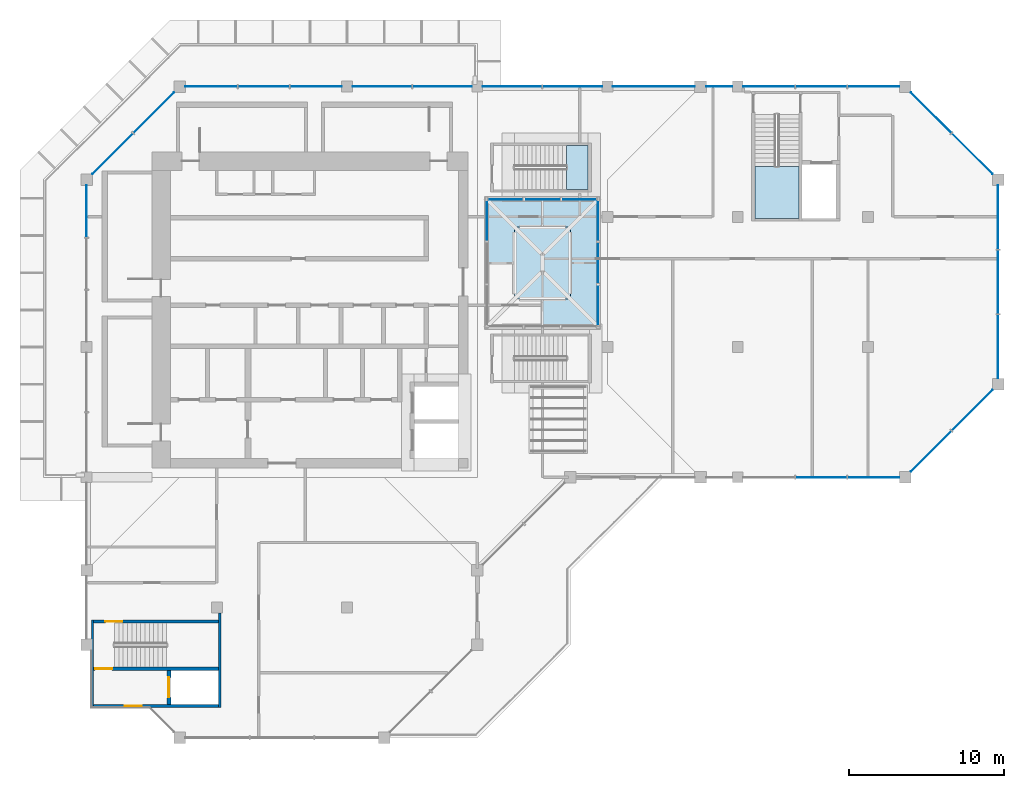
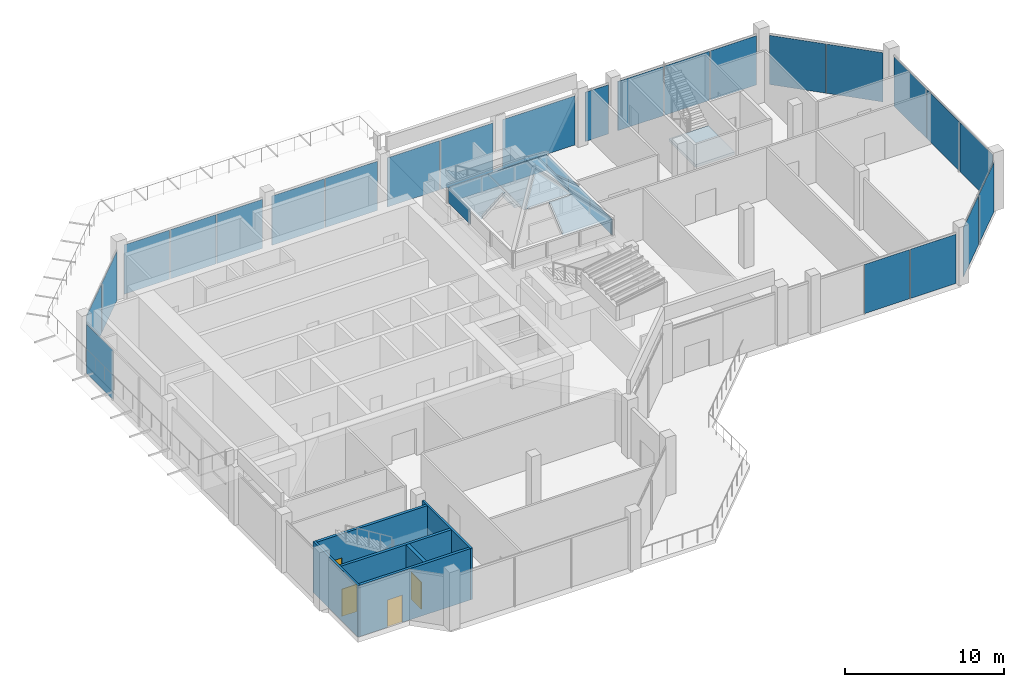
# One storey, part 7 of 15: 41 plates, 6 walls, 4 doors, 2 slabs, 4 openings, 9 elements without a shape of their own.
"""IFC4 building model written with IfcOpenShell, lengths in metres."""

from ifc_helpers import new_model, si_unit, direction, frame, frame_2d, origin, origin_2d, place, context, subcontext, project, spatial, polyline, rectangle, outline, extrude, material, layer, layer_set, type_object, element, fill, aggregate, save


model = new_model("IFC4")

# Units and contexts
model_context = context("Model", 3, precision=1e-05, world=origin(), true_north=direction((0.0, 1.0)))
body_context = subcontext(model_context, "Body", "Model", "MODEL_VIEW")
ifc_project = project(units=[si_unit("LENGTHUNIT", "METRE"), si_unit("AREAUNIT", "SQUARE_METRE"), si_unit("VOLUMEUNIT", "CUBIC_METRE"), si_unit("PLANEANGLEUNIT", "RADIAN"), si_unit("MASSUNIT", "GRAM", prefix="KILO")], contexts=[model_context])

# Site, building, storey
site_placement = place(None, origin())
site = spatial("IfcSite", under=ifc_project, at=site_placement, CompositionType="ELEMENT")
building_placement = place(site_placement, origin())
building = spatial("IfcBuilding", under=site, at=building_placement, Name="Kawkab Arch Medical Tower", CompositionType="ELEMENT")
storey_placement = place(building_placement, frame((0.0, 0.0, 332.199951171875)))
storey = spatial("IfcBuildingStorey", under=building, at=storey_placement, Name="L77", CompositionType="ELEMENT", Elevation=332.199951171875)

# Curtain wall, plates
ifc_material_1 = material(Name="Bronze anodised aluminium curtain wall frame", Category="aluminium")
ifc_layer_1 = layer(ifc_material_1, 0.159912109375)
ifc_layer_set_1 = layer_set([ifc_layer_1], Name="Bronze anodised aluminium curtain wall frame")
curtain_wall_type = type_object("IfcCurtainWallType", Name="CW6 helipad lobby and crown glazing", PredefinedType="NOTDEFINED", material=ifc_layer_set_1)
placement_1 = place(storey_placement, origin())
curtain_wall_1 = element("IfcCurtainWall", 1, at=placement_1, inside=storey, type_object=curtain_wall_type, Name="CW6 Helipad lobby and crown glazing R01", PredefinedType="NOTDEFINED")
ifc_material_2 = material(Name="Tinted laminated insulating glass, low iron", Category="glass")
ifc_layer_2 = layer(ifc_material_2, 0.0400390625)
ifc_layer_set_2 = layer_set([ifc_layer_2], Name="Tinted laminated insulating glass, low iron")
plate_type_1 = type_object("IfcPlateType", Name="CW6 glazing unit 40", PredefinedType="CURTAIN_PANEL", material=ifc_layer_set_2)
plate_1_placement = place(storey_placement, frame((4.324951171875, -1.675048828125, 0.0), z_axis=(0.0, 0.0, 1.0), x_axis=(-0.707106781187, -0.707106781187, 0.0)))
plate_1 = element("IfcPlate", 2, at=plate_1_placement, type_object=plate_type_1, Name="CW6 glazing unit 1.1", PredefinedType="CURTAIN_PANEL", context=body_context, shape_type="SweptSolid", body=[
    extrude(rectangle(XDim=3.67724609375, YDim=0.0400390625, at=origin_2d()), origin(), (0.0, 0.0, 1.0), 3.7900390625),
])
plate_2_placement = place(storey_placement, frame((1.675048828125, -4.324951171875, 0.0), z_axis=(0.0, 0.0, 1.0), x_axis=(-0.707106781187, -0.707106781187, 0.0)))
plate_2 = element("IfcPlate", 3, at=plate_2_placement, type_object=plate_type_1, Name="CW6 glazing unit 1.2", PredefinedType="CURTAIN_PANEL", context=body_context, shape_type="SweptSolid", body=[
    extrude(rectangle(XDim=3.67724609375, YDim=0.0400390625, at=origin_2d()), origin(), (0.0, 0.0, 1.0), 3.7900390625),
])
aggregate(curtain_wall_1, [plate_1, plate_2])

# Curtain wall, plate
curtain_wall_2 = element("IfcCurtainWall", 4, at=placement_1, inside=storey, type_object=curtain_wall_type, Name="CW6 Helipad lobby and crown glazing R02", PredefinedType="NOTDEFINED")
plate_3_placement = place(storey_placement, frame((0.0, -8.03662109375, 0.0), z_axis=(0.0, 0.0, 1.0), x_axis=(0.0, -1.0, 0.0)))
plate_3 = element("IfcPlate", 5, at=plate_3_placement, type_object=plate_type_1, Name="CW6 glazing unit 1.1", PredefinedType="CURTAIN_PANEL", context=body_context, shape_type="SweptSolid", body=[
    extrude(rectangle(XDim=3.3232421875, YDim=0.0400390625, at=origin_2d()), origin(), (0.0, 0.0, 1.0), 3.7900390625),
])
aggregate(curtain_wall_2, [plate_3])

# Curtain wall, plates
curtain_wall_3 = element("IfcCurtainWall", 6, at=placement_1, inside=storey, type_object=curtain_wall_type, Name="CW6 Helipad lobby and crown glazing R11", PredefinedType="NOTDEFINED")
plate_4_placement = place(storey_placement, frame((47.387451171875, -25.199951171875, 0.0), z_axis=(0.0, 0.0, 1.0), x_axis=(1.0, 0.0, 0.0)))
plate_4 = element("IfcPlate", 7, at=plate_4_placement, type_object=plate_type_1, Name="CW6 glazing unit 3.2", PredefinedType="CURTAIN_PANEL", context=body_context, shape_type="SweptSolid", body=[
    extrude(rectangle(XDim=3.288330078125, YDim=0.0400390625, at=origin_2d()), origin(), (0.0, 0.0, 1.0), 3.7900390625),
])
plate_5_placement = place(storey_placement, frame((50.763427734375, -25.199951171875, 0.0), z_axis=(0.0, 0.0, 1.0), x_axis=(1.0, 0.0, 0.0)))
plate_5 = element("IfcPlate", 8, at=plate_5_placement, type_object=plate_type_1, Name="CW6 glazing unit 3.3", PredefinedType="CURTAIN_PANEL", context=body_context, shape_type="SweptSolid", body=[
    extrude(rectangle(XDim=3.3232421875, YDim=0.0400390625, at=origin_2d()), origin(), (0.0, 0.0, 1.0), 3.7900390625),
])
aggregate(curtain_wall_3, [plate_4, plate_5])

curtain_wall_4 = element("IfcCurtainWall", 9, at=placement_1, inside=storey, type_object=curtain_wall_type, Name="CW6 Helipad lobby and crown glazing R12", PredefinedType="NOTDEFINED")
plate_6_placement = place(storey_placement, frame((54.47509765625, -23.52490234375, 0.0), z_axis=(0.0, 0.0, 1.0), x_axis=(0.707106781187, 0.707106781187, 0.0)))
plate_6 = element("IfcPlate", 10, at=plate_6_placement, type_object=plate_type_1, Name="CW6 glazing unit 1.1", PredefinedType="CURTAIN_PANEL", context=body_context, shape_type="SweptSolid", body=[
    extrude(rectangle(XDim=3.67724609375, YDim=0.0400390625, at=origin_2d()), origin(), (0.0, 0.0, 1.0), 3.7900390625),
])
plate_7_placement = place(storey_placement, frame((57.124755859375, -20.875244140625, 0.0), z_axis=(0.0, 0.0, 1.0), x_axis=(0.707106781187, 0.707106781187, 0.0)))
plate_7 = element("IfcPlate", 11, at=plate_7_placement, type_object=plate_type_1, Name="CW6 glazing unit 1.2", PredefinedType="CURTAIN_PANEL", context=body_context, shape_type="SweptSolid", body=[
    extrude(rectangle(XDim=3.67724609375, YDim=0.0400390625, at=origin_2d()), origin(), (0.0, 0.0, 1.0), 3.7900390625),
])
aggregate(curtain_wall_4, [plate_6, plate_7])

curtain_wall_5 = element("IfcCurtainWall", 12, at=placement_1, inside=storey, type_object=curtain_wall_type, Name="CW6 Helipad lobby and crown glazing R13", PredefinedType="NOTDEFINED")
plate_8_placement = place(storey_placement, frame((58.800048828125, -16.767578125, 0.0), z_axis=(0.0, 0.0, 1.0), x_axis=(0.0, 1.0, 0.0)))
plate_8 = element("IfcPlate", 13, at=plate_8_placement, type_object=plate_type_1, Name="CW6 glazing unit 1.1", PredefinedType="CURTAIN_PANEL", context=body_context, shape_type="SweptSolid", body=[
    extrude(rectangle(XDim=4.114990234375, YDim=0.0400390625, at=origin_2d()), origin(), (0.0, 0.0, 1.0), 3.7900390625),
])
plate_9_placement = place(storey_placement, frame((58.800048828125, -12.60009765625, 0.0), z_axis=(0.0, 0.0, 1.0), x_axis=(0.0, 1.0, 0.0)))
plate_9 = element("IfcPlate", 14, at=plate_9_placement, type_object=plate_type_1, Name="CW6 glazing unit 1.2", PredefinedType="CURTAIN_PANEL", context=body_context, shape_type="SweptSolid", body=[
    extrude(rectangle(XDim=4.080078125, YDim=0.0400390625, at=origin_2d()), origin(), (0.0, 0.0, 1.0), 3.7900390625),
])
plate_10_placement = place(storey_placement, frame((58.800048828125, -8.4326171875, 0.0), z_axis=(0.0, 0.0, 1.0), x_axis=(0.0, 1.0, 0.0)))
plate_10 = element("IfcPlate", 15, at=plate_10_placement, type_object=plate_type_1, Name="CW6 glazing unit 1.3", PredefinedType="CURTAIN_PANEL", context=body_context, shape_type="SweptSolid", body=[
    extrude(rectangle(XDim=4.114990234375, YDim=0.0400390625, at=origin_2d()), origin(), (0.0, 0.0, 1.0), 3.7900390625),
])
aggregate(curtain_wall_5, [plate_8, plate_9, plate_10])

curtain_wall_6 = element("IfcCurtainWall", 16, at=placement_1, inside=storey, type_object=curtain_wall_type, Name="CW6 Helipad lobby and crown glazing R14", PredefinedType="NOTDEFINED")
plate_11_placement = place(storey_placement, frame((57.124755859375, -4.324951171875, 0.0), z_axis=(0.0, 0.0, 1.0), x_axis=(-0.707106781187, 0.707106781187, 0.0)))
plate_11 = element("IfcPlate", 17, at=plate_11_placement, type_object=plate_type_1, Name="CW6 glazing unit 1.1", PredefinedType="CURTAIN_PANEL", context=body_context, shape_type="SweptSolid", body=[
    extrude(rectangle(XDim=3.67724609375, YDim=0.0400390625, at=origin_2d()), origin(), (0.0, 0.0, 1.0), 3.7900390625),
])
plate_12_placement = place(storey_placement, frame((54.47509765625, -1.675048828125, 0.0), z_axis=(0.0, 0.0, 1.0), x_axis=(-0.707106781187, 0.707106781187, 0.0)))
plate_12 = element("IfcPlate", 18, at=plate_12_placement, type_object=plate_type_1, Name="CW6 glazing unit 1.2", PredefinedType="CURTAIN_PANEL", context=body_context, shape_type="SweptSolid", body=[
    extrude(rectangle(XDim=3.67724609375, YDim=0.0400390625, at=origin_2d()), origin(), (0.0, 0.0, 1.0), 3.7900390625),
])
aggregate(curtain_wall_6, [plate_11, plate_12])

curtain_wall_7 = element("IfcCurtainWall", 19, at=placement_1, inside=storey, type_object=curtain_wall_type, Name="CW6 Helipad lobby and crown glazing R15", PredefinedType="NOTDEFINED")
plate_13_placement = place(storey_placement, frame((50.763427734375, 0.0, 0.0), z_axis=(0.0, 0.0, 1.0), x_axis=(-1.0, 0.0, 0.0)))
plate_13 = element("IfcPlate", 20, at=plate_13_placement, type_object=plate_type_1, Name="CW6 glazing unit 1.1", PredefinedType="CURTAIN_PANEL", context=body_context, shape_type="SweptSolid", body=[
    extrude(rectangle(XDim=3.3232421875, YDim=0.0400390625, at=origin_2d()), origin(), (0.0, 0.0, 1.0), 3.7900390625),
])
plate_14_placement = place(storey_placement, frame((47.387451171875, 0.0, 0.0), z_axis=(0.0, 0.0, 1.0), x_axis=(-1.0, 0.0, 0.0)))
plate_14 = element("IfcPlate", 21, at=plate_14_placement, type_object=plate_type_1, Name="CW6 glazing unit 1.2", PredefinedType="CURTAIN_PANEL", context=body_context, shape_type="SweptSolid", body=[
    extrude(rectangle(XDim=3.288330078125, YDim=0.0400390625, at=origin_2d()), origin(), (0.0, 0.0, 1.0), 3.7900390625),
])
plate_15_placement = place(storey_placement, frame((44.01171875, 0.0, 0.0), z_axis=(0.0, 0.0, 1.0), x_axis=(-1.0, 0.0, 0.0)))
plate_15 = element("IfcPlate", 22, at=plate_15_placement, type_object=plate_type_1, Name="CW6 glazing unit 1.3", PredefinedType="CURTAIN_PANEL", context=body_context, shape_type="SweptSolid", body=[
    extrude(rectangle(XDim=3.3232421875, YDim=0.0400390625, at=origin_2d()), origin(), (0.0, 0.0, 1.0), 3.7900390625),
])
plate_16_placement = place(storey_placement, frame((40.8125, 0.0, 0.0), z_axis=(0.0, 0.0, 1.0), x_axis=(-1.0, 0.0, 0.0)))
plate_16 = element("IfcPlate", 23, at=plate_16_placement, type_object=plate_type_1, Name="CW6 glazing unit 2.1", PredefinedType="CURTAIN_PANEL", context=body_context, shape_type="SweptSolid", body=[
    extrude(rectangle(XDim=1.675048828125, YDim=0.0400390625, at=origin_2d()), origin(), (0.0, 0.0, 1.0), 3.7900390625),
])
plate_17_placement = place(storey_placement, frame((36.58740234375, 0.0, 0.0), z_axis=(0.0, 0.0, 1.0), x_axis=(-1.0, 0.0, 0.0)))
plate_17 = element("IfcPlate", 24, at=plate_17_placement, type_object=plate_type_1, Name="CW6 glazing unit 3.1", PredefinedType="CURTAIN_PANEL", context=body_context, shape_type="SweptSolid", body=[
    extrude(rectangle(XDim=5.27490234375, YDim=0.0400390625, at=origin_2d()), origin(), (0.0, 0.0, 1.0), 3.7900390625),
])
plate_18_placement = place(storey_placement, frame((31.342529296875, 0.0, 0.0), z_axis=(0.0, 0.0, 1.0), x_axis=(-1.0, 0.0, 0.0)))
plate_18 = element("IfcPlate", 25, at=plate_18_placement, type_object=plate_type_1, Name="CW6 glazing unit 4.1", PredefinedType="CURTAIN_PANEL", context=body_context, shape_type="SweptSolid", body=[
    extrude(rectangle(XDim=3.81494140625, YDim=0.0400390625, at=origin_2d()), origin(), (0.0, 0.0, 1.0), 3.7900390625),
])
plate_19_placement = place(storey_placement, frame((27.45751953125, 0.0, 0.0), z_axis=(0.0, 0.0, 1.0), x_axis=(-1.0, 0.0, 0.0)))
plate_19 = element("IfcPlate", 26, at=plate_19_placement, type_object=plate_type_1, Name="CW6 glazing unit 4.2", PredefinedType="CURTAIN_PANEL", context=body_context, shape_type="SweptSolid", body=[
    extrude(rectangle(XDim=3.81494140625, YDim=0.0400390625, at=origin_2d()), origin(), (0.0, 0.0, 1.0), 3.7900390625),
])
plate_20_placement = place(storey_placement, frame((22.9423828125, 0.0, 0.0), z_axis=(0.0, 0.0, 1.0), x_axis=(-1.0, 0.0, 0.0)))
plate_20 = element("IfcPlate", 27, at=plate_20_placement, type_object=plate_type_1, Name="CW6 glazing unit 5.1", PredefinedType="CURTAIN_PANEL", context=body_context, shape_type="SweptSolid", body=[
    extrude(rectangle(XDim=3.81494140625, YDim=0.0400390625, at=origin_2d()), origin(), (0.0, 0.0, 1.0), 3.7900390625),
])
plate_21_placement = place(storey_placement, frame((19.0576171875, 0.0, 0.0), z_axis=(0.0, 0.0, 1.0), x_axis=(-1.0, 0.0, 0.0)))
plate_21 = element("IfcPlate", 28, at=plate_21_placement, type_object=plate_type_1, Name="CW6 glazing unit 5.2", PredefinedType="CURTAIN_PANEL", context=body_context, shape_type="SweptSolid", body=[
    extrude(rectangle(XDim=3.81494140625, YDim=0.0400390625, at=origin_2d()), origin(), (0.0, 0.0, 1.0), 3.7900390625),
])
plate_22_placement = place(storey_placement, frame((14.788330078125, 0.0, 0.0), z_axis=(0.0, 0.0, 1.0), x_axis=(-1.0, 0.0, 0.0)))
plate_22 = element("IfcPlate", 29, at=plate_22_placement, type_object=plate_type_1, Name="CW6 glazing unit 6.1", PredefinedType="CURTAIN_PANEL", context=body_context, shape_type="SweptSolid", body=[
    extrude(rectangle(XDim=3.3232421875, YDim=0.0400390625, at=origin_2d()), origin(), (0.0, 0.0, 1.0), 3.7900390625),
])
plate_23_placement = place(storey_placement, frame((11.41259765625, 0.0, 0.0), z_axis=(0.0, 0.0, 1.0), x_axis=(-1.0, 0.0, 0.0)))
plate_23 = element("IfcPlate", 30, at=plate_23_placement, type_object=plate_type_1, Name="CW6 glazing unit 6.2", PredefinedType="CURTAIN_PANEL", context=body_context, shape_type="SweptSolid", body=[
    extrude(rectangle(XDim=3.288330078125, YDim=0.0400390625, at=origin_2d()), origin(), (0.0, 0.0, 1.0), 3.7900390625),
])
plate_24_placement = place(storey_placement, frame((8.03662109375, 0.0, 0.0), z_axis=(0.0, 0.0, 1.0), x_axis=(-1.0, 0.0, 0.0)))
plate_24 = element("IfcPlate", 31, at=plate_24_placement, type_object=plate_type_1, Name="CW6 glazing unit 6.3", PredefinedType="CURTAIN_PANEL", context=body_context, shape_type="SweptSolid", body=[
    extrude(rectangle(XDim=3.3232421875, YDim=0.0400390625, at=origin_2d()), origin(), (0.0, 0.0, 1.0), 3.7900390625),
])
aggregate(curtain_wall_7, [plate_13, plate_14, plate_15, plate_16, plate_17, plate_18, plate_19, plate_20, plate_21, plate_22, plate_23, plate_24])

# Plates
ifc_material_3 = material(Name="Laminated tinted glass", Category="glass")
ifc_layer_3 = layer(ifc_material_3, 0.031982421875)
ifc_layer_set_3 = layer_set([ifc_layer_3], Name="Laminated tinted glass")
plate_type_2 = type_object("IfcPlateType", Name="Crown glazing panel 32", PredefinedType="USERDEFINED", material=ifc_layer_set_3)
for number, where, z_axis, x_axis, name in (
    (32, (33.0, -15.5009765625, 4.650146484375), (1.0, 0.0, 0.0), (0.0, 1.0, 0.0), "Glass roof skirt E bay 1"),
    (33, (33.0, -12.7509765625, 4.650146484375), (1.0, 0.0, 0.0), (0.0, 1.0, 0.0), "Glass roof skirt E bay 2"),
    (34, (33.0, -10.0009765625, 4.650146484375), (1.0, 0.0, 0.0), (0.0, 1.0, 0.0), "Glass roof skirt E bay 3"),
):
    element("IfcPlate", number, at=place(storey_placement, frame(where, z_axis=z_axis, x_axis=x_axis)), inside=storey, type_object=plate_type_2, Name=name, ObjectType="CROWN GLAZING", PredefinedType="USERDEFINED", context=body_context, shape_type="SweptSolid", body=[
        extrude(outline(polyline([(0.0, 0.0), (2.75, 0.0), (2.75, 1.199951171875), (0.0, 1.199951171875), (0.0, 0.0)])), origin(), (0.0, 0.0, -1.0), 0.031982421875),
    ])
plate_25_placement = place(storey_placement, frame((33.0, -7.2509765625, 4.650146484375), z_axis=(0.0, 1.0, 0.0), x_axis=(-1.0, 0.0, 0.0)))
element("IfcPlate", 35, at=plate_25_placement, inside=storey, type_object=plate_type_2, Name="Glass roof skirt N bay 1", ObjectType="CROWN GLAZING", PredefinedType="USERDEFINED", context=body_context, shape_type="SweptSolid", body=[
    extrude(outline(polyline([(0.0, 0.0), (2.39990234375, 0.0), (2.39990234375, 1.199951171875), (0.0, 1.199951171875), (0.0, 0.0)])), origin(), (0.0, 0.0, -1.0), 0.031982421875),
])
plate_26_placement = place(storey_placement, frame((30.60009765625, -7.2509765625, 4.650146484375), z_axis=(0.0, 1.0, 0.0), x_axis=(-1.0, 0.0, 0.0)))
element("IfcPlate", 36, at=plate_26_placement, inside=storey, type_object=plate_type_2, Name="Glass roof skirt N bay 2", ObjectType="CROWN GLAZING", PredefinedType="USERDEFINED", context=body_context, shape_type="SweptSolid", body=[
    extrude(outline(polyline([(0.0, 0.0), (2.400146484375, 0.0), (2.400146484375, 1.199951171875), (0.0, 1.199951171875), (0.0, 0.0)])), origin(), (0.0, 0.0, -1.0), 0.031982421875),
])
plate_27_placement = place(storey_placement, frame((28.199951171875, -7.2509765625, 4.650146484375), z_axis=(0.0, 1.0, 0.0), x_axis=(-1.0, 0.0, 0.0)))
element("IfcPlate", 37, at=plate_27_placement, inside=storey, type_object=plate_type_2, Name="Glass roof skirt N bay 3", ObjectType="CROWN GLAZING", PredefinedType="USERDEFINED", context=body_context, shape_type="SweptSolid", body=[
    extrude(outline(polyline([(0.0, 0.0), (2.39990234375, 0.0), (2.39990234375, 1.199951171875), (0.0, 1.199951171875), (0.0, 0.0)])), origin(), (0.0, 0.0, -1.0), 0.031982421875),
])
plate_28_placement = place(storey_placement, frame((25.800048828125, -7.2509765625, 4.650146484375), z_axis=(-1.0, 0.0, 0.0), x_axis=(0.0, -1.0, 0.0)))
element("IfcPlate", 38, at=plate_28_placement, inside=storey, type_object=plate_type_2, Name="Glass roof skirt W bay 1", ObjectType="CROWN GLAZING", PredefinedType="USERDEFINED", context=body_context, shape_type="SweptSolid", body=[
    extrude(outline(polyline([(0.0, 0.0), (2.75, 0.0), (2.75, 1.199951171875), (0.0, 1.199951171875), (0.0, 0.0)])), origin(), (0.0, 0.0, -1.0), 0.031982421875),
])
plate_29_placement = place(storey_placement, frame((29.39990234375, -15.5009765625, 5.85009765625), z_axis=(0.0, -0.642746050735, 0.766079313299), x_axis=(1.0, 0.0, 0.0)))
element("IfcPlate", 39, at=plate_29_placement, inside=storey, type_object=plate_type_2, Name="Glass roof glazing S row 1 bay 2", ObjectType="CROWN GLAZING", PredefinedType="USERDEFINED", context=body_context, shape_type="SweptSolid", body=[
    extrude(outline(polyline([(0.0, 0.0), (3.60009765625, 0.0), (1.800048828125, 2.349689904003839), (0.0, 2.349689904003839), (0.0, 0.0)])), origin(), (0.0, 0.0, -1.0), 0.031982421875),
])
plate_30_placement = place(storey_placement, frame((27.60009765625, -13.700927734375, 7.3603515625), z_axis=(0.0, -0.64280702316, 0.766028152862), x_axis=(1.0, 0.0, 0.0)))
element("IfcPlate", 40, at=plate_30_placement, inside=storey, type_object=plate_type_2, Name="Glass roof glazing S row 2 bay 1", ObjectType="CROWN GLAZING", PredefinedType="USERDEFINED", context=body_context, shape_type="SweptSolid", body=[
    extrude(outline(polyline([(0.0, 0.0), (3.599853515625, 0.0), (1.7998046875, 2.349846831869553), (0.0, 0.0)])), origin(), (0.0, 0.0, -1.0), 0.031982421875),
])
plate_31_placement = place(storey_placement, frame((33.0, -15.5009765625, 5.85009765625), z_axis=(0.642746050735, 0.0, 0.766079313299), x_axis=(0.0, 1.0, 0.0)))
element("IfcPlate", 41, at=plate_31_placement, inside=storey, type_object=plate_type_2, Name="Glass roof glazing E row 1 bay 1", ObjectType="CROWN GLAZING", PredefinedType="USERDEFINED", context=body_context, shape_type="SweptSolid", body=[
    extrude(outline(polyline([(0.0, 0.0), (4.125, 0.0), (4.125, 2.349689904003839), (1.800048828125, 2.349689904003839), (0.0, 0.0)])), origin(), (0.0, 0.0, -1.0), 0.031982421875),
])
plate_32_placement = place(storey_placement, frame((33.0, -11.3759765625, 5.85009765625), z_axis=(0.642746050735, 0.0, 0.766079313299), x_axis=(0.0, 1.0, 0.0)))
element("IfcPlate", 42, at=plate_32_placement, inside=storey, type_object=plate_type_2, Name="Glass roof glazing E row 1 bay 2", ObjectType="CROWN GLAZING", PredefinedType="USERDEFINED", context=body_context, shape_type="SweptSolid", body=[
    extrude(outline(polyline([(0.0, 0.0), (4.125, 0.0), (2.324951171875, 2.349689904003839), (0.0, 2.349689904003839), (0.0, 0.0)])), origin(), (0.0, 0.0, -1.0), 0.031982421875),
])
plate_33_placement = place(storey_placement, frame((31.199951171875, -13.700927734375, 7.3603515625), z_axis=(0.64280702316, 0.0, 0.766028152862), x_axis=(0.0, 1.0, 0.0)))
element("IfcPlate", 43, at=plate_33_placement, inside=storey, type_object=plate_type_2, Name="Glass roof glazing E row 2 bay 1", ObjectType="CROWN GLAZING", PredefinedType="USERDEFINED", context=body_context, shape_type="SweptSolid", body=[
    extrude(outline(polyline([(0.0, 0.0), (4.64990234375, 0.0), (2.849853515625, 2.349846831869553), (1.800048828125, 2.349846831869553), (0.0, 0.0)])), origin(), (0.0, 0.0, -1.0), 0.031982421875),
])
plate_34_placement = place(storey_placement, frame((33.0, -7.2509765625, 5.85009765625), z_axis=(0.0, 0.642746050735, 0.766079313299), x_axis=(-1.0, 0.0, 0.0)))
element("IfcPlate", 44, at=plate_34_placement, inside=storey, type_object=plate_type_2, Name="Glass roof glazing N row 1 bay 1", ObjectType="CROWN GLAZING", PredefinedType="USERDEFINED", context=body_context, shape_type="SweptSolid", body=[
    extrude(outline(polyline([(0.0, 0.0), (3.60009765625, 0.0), (3.60009765625, 2.349689904003839), (1.800048828125, 2.349689904003839), (0.0, 0.0)])), origin(), (0.0, 0.0, -1.0), 0.031982421875),
])
plate_35_placement = place(storey_placement, frame((29.39990234375, -7.2509765625, 5.85009765625), z_axis=(0.0, 0.642746050735, 0.766079313299), x_axis=(-1.0, 0.0, 0.0)))
element("IfcPlate", 45, at=plate_35_placement, inside=storey, type_object=plate_type_2, Name="Glass roof glazing N row 1 bay 2", ObjectType="CROWN GLAZING", PredefinedType="USERDEFINED", context=body_context, shape_type="SweptSolid", body=[
    extrude(outline(polyline([(0.0, 0.0), (3.599853515625, 0.0), (1.7998046875, 2.349689904003839), (0.0, 2.349689904003839), (0.0, 0.0)])), origin(), (0.0, 0.0, -1.0), 0.031982421875),
])
plate_36_placement = place(storey_placement, frame((31.199951171875, -9.051025390625, 7.3603515625), z_axis=(0.0, 0.64280702316, 0.766028152862), x_axis=(-1.0, 0.0, 0.0)))
element("IfcPlate", 46, at=plate_36_placement, inside=storey, type_object=plate_type_2, Name="Glass roof glazing N row 2 bay 1", ObjectType="CROWN GLAZING", PredefinedType="USERDEFINED", context=body_context, shape_type="SweptSolid", body=[
    extrude(outline(polyline([(0.0, 0.0), (3.599853515625, 0.0), (1.800048828125, 2.349846831869553), (0.0, 0.0)])), origin(), (0.0, 0.0, -1.0), 0.031982421875),
])
plate_37_placement = place(storey_placement, frame((25.800048828125, -7.2509765625, 5.85009765625), z_axis=(-0.642746050735, 0.0, 0.766079313299), x_axis=(0.0, -1.0, 0.0)))
element("IfcPlate", 47, at=plate_37_placement, inside=storey, type_object=plate_type_2, Name="Glass roof glazing W row 1 bay 1", ObjectType="CROWN GLAZING", PredefinedType="USERDEFINED", context=body_context, shape_type="SweptSolid", body=[
    extrude(outline(polyline([(0.0, 0.0), (4.125, 0.0), (4.125, 2.349689904003839), (1.800048828125, 2.349689904003839), (0.0, 0.0)])), origin(), (0.0, 0.0, -1.0), 0.031982421875),
])
plate_38_placement = place(storey_placement, frame((27.60009765625, -9.051025390625, 7.3603515625), z_axis=(-0.642858185245, 0.0, 0.765985217654), x_axis=(0.0, -1.0, 0.0)))
element("IfcPlate", 48, at=plate_38_placement, inside=storey, type_object=plate_type_2, Name="Glass roof glazing W row 2 bay 1", ObjectType="CROWN GLAZING", PredefinedType="USERDEFINED", context=body_context, shape_type="SweptSolid", body=[
    extrude(outline(polyline([(0.0, 0.0), (4.64990234375, 0.0), (2.849853515625, 2.349659818518451), (1.800048828125, 2.349659818518451), (0.0, 0.0)])), origin(), (0.0, 0.0, -1.0), 0.031982421875),
])

# Stair, slab
ifc_material_4 = material(Name="Concrete C40/50", Category="concrete")
stair_type = type_object("IfcStairType", Name="Exit stair 1350", PredefinedType="HALF_TURN_STAIR", material=ifc_material_4)
stair_1 = element("IfcStair", 49, at=placement_1, inside=storey, type_object=stair_type, Name="L77 Exit stair DS2", PredefinedType="HALF_TURN_STAIR")
ifc_material_5 = material(Name="Concrete C40/50", Category="concrete")
ifc_layer_4 = layer(ifc_material_5, 0.199951171875)
ifc_layer_set_4 = layer_set([ifc_layer_4], Name="Concrete C40/50")
slab_type = type_object("IfcSlabType", Name="Exit stair landing 200", PredefinedType="LANDING", material=ifc_layer_set_4)
placement_2 = place(storey_placement, frame((0.0, 0.0, 2.050048828125)))
slab_1 = element("IfcSlab", 50, at=placement_2, type_object=slab_type, Name="DS2 landing 1", PredefinedType="LANDING", context=body_context, shape_type="SweptSolid", body=[
    extrude(outline(polyline([(30.9599609375, -6.64990234375), (32.35009765625, -6.64990234375), (32.35009765625, -3.800048828125), (30.9599609375, -3.800048828125), (30.9599609375, -6.64990234375)])), origin(), (0.0, 0.0, 1.0), 0.199951171875),
])
aggregate(stair_1, [slab_1])

stair_2 = element("IfcStair", 51, at=placement_1, inside=storey, type_object=stair_type, Name="L77 Exit stair ST5", PredefinedType="HALF_TURN_STAIR")
slab_2 = element("IfcSlab", 52, at=placement_2, type_object=slab_type, Name="ST5 landing 1", PredefinedType="LANDING", context=body_context, shape_type="SweptSolid", body=[
    extrude(outline(polyline([(43.10009765625, -5.159912109375), (43.10009765625, -8.5), (45.949951171875, -8.5), (45.949951171875, -5.159912109375), (43.10009765625, -5.159912109375)])), origin(), (0.0, 0.0, 1.0), 0.199951171875),
])
aggregate(stair_2, [slab_2])

# Wall, opening, door
ifc_material_6 = material(Name="Concrete C60/75", Category="concrete")
ifc_layer_5 = layer(ifc_material_6, 0.25)
ifc_layer_set_5 = layer_set([ifc_layer_5], Name="Concrete C60/75")
wall_type_1 = type_object("IfcWallType", Name="Core shear wall 250 C60/75", PredefinedType="SHEAR", material=ifc_layer_set_5)
wall_1_placement = place(storey_placement, frame((5.300048828125, -39.85009765625, 0.0), z_axis=(0.0, 0.0, 1.0), x_axis=(0.0, 1.0, 0.0)))
wall_1 = element("IfcWall", 53, at=wall_1_placement, inside=storey, type_object=wall_type_1, Name="L77 core shear wall", PredefinedType="SHEAR", context=body_context, shape_type="SweptSolid", body=[
    extrude(rectangle(XDim=2.2001953125, YDim=0.25, at=frame_2d((1.10009765625, 0.0))), origin(), (0.0, 0.0, 1.0), 3.949951171875),
])
opening_1_placement = place(wall_1_placement, frame((0.449951171875, 0.0, 0.0)))
opening_1 = element("IfcOpeningElement", 54, at=opening_1_placement, cuts=wall_1, Name="Opening LD2", PredefinedType="OPENING", context=body_context, shape_type="SweptSolid", body=[
    extrude(rectangle(XDim=1.300048828125, YDim=2.10009765625, at=frame_2d((0.64990234375, 1.050048828125))), frame((0.0, 0.135009765625, 0.0), z_axis=(0.0, -1.0, 0.0), x_axis=(1.0, 0.0, 0.0)), (0.0, 0.0, 1.0), 0.27001953125),
])
ifc_material_7 = material(Name="Stainless steel lift door leaf", Category="steel")
door_type_1 = type_object("IfcDoorType", Name="Lift landing door 1300", OperationType="DOUBLE_DOOR_SLIDING", PredefinedType="DOOR", material=ifc_material_7)
door_1_placement = place(opening_1_placement, origin())
door_1 = element("IfcDoor", 55, at=door_1_placement, inside=storey, type_object=door_type_1, Name="L77 Lift landing door SV2", OperationType="DOUBLE_DOOR_SLIDING", OverallHeight=2.10009765625, OverallWidth=1.300048828125, PredefinedType="DOOR", context=body_context, shape_type="SweptSolid", body=[
    extrude(rectangle(XDim=1.300048828125, YDim=2.10009765625, at=frame_2d((0.64990234375, 1.050048828125))), frame((0.0, 0.02490234375, 0.0), z_axis=(0.0, -1.0, 0.0), x_axis=(1.0, 0.0, 0.0)), (0.0, 0.0, 1.0), 0.050048828125),
])
fill(opening_1, door_1)

# Walls
ifc_material_8 = material(Name="Concrete C50/60", Category="concrete")
ifc_layer_6 = layer(ifc_material_8, 0.14990234375)
ifc_layer_set_6 = layer_set([ifc_layer_6], Name="Concrete C50/60")
wall_type_2 = type_object("IfcWallType", Name="Stair enclosure wall 150 C50/60", PredefinedType="SHEAR", material=ifc_layer_set_6)
wall_2_placement = place(storey_placement, frame((0.375, -40.050048828125, 0.0), z_axis=(0.0, 0.0, 1.0), x_axis=(0.0, 1.0, 0.0)))
element("IfcWall", 56, at=wall_2_placement, inside=storey, type_object=wall_type_2, Name="L77 stair enclosure wall", PredefinedType="SHEAR", context=body_context, shape_type="SweptSolid", body=[
    extrude(rectangle(XDim=5.650146484375, YDim=0.14990234375, at=frame_2d((2.8251953125, 0.0))), origin(), (0.0, 0.0, 1.0), 3.949951171875),
])
wall_3_placement = place(storey_placement, frame((8.574951171875, -40.050048828125, 0.0), z_axis=(0.0, 0.0, 1.0), x_axis=(0.0, 1.0, 0.0)))
element("IfcWall", 57, at=wall_3_placement, inside=storey, type_object=wall_type_2, Name="L77 stair enclosure wall", PredefinedType="SHEAR", context=body_context, shape_type="SweptSolid", body=[
    extrude(rectangle(XDim=6.10009765625, YDim=0.14990234375, at=frame_2d((3.050048828125, 0.0))), origin(), (0.0, 0.0, 1.0), 3.949951171875),
])

# Wall, opening, door
ifc_material_9 = material(Name="Concrete C50/60", Category="concrete")
ifc_layer_7 = layer(ifc_material_9, 0.199951171875)
ifc_layer_set_7 = layer_set([ifc_layer_7], Name="Concrete C50/60")
wall_type_3 = type_object("IfcWallType", Name="Stair enclosure wall 200 C50/60", PredefinedType="SHEAR", material=ifc_layer_set_7)
wall_4_placement = place(storey_placement, frame((0.449951171875, -34.5, 0.0), z_axis=(0.0, 0.0, 1.0), x_axis=(1.0, 0.0, 0.0)))
wall_4 = element("IfcWall", 58, at=wall_4_placement, inside=storey, type_object=wall_type_3, Name="L77 stair enclosure wall", PredefinedType="SHEAR", context=body_context, shape_type="SweptSolid", body=[
    extrude(rectangle(XDim=8.050048828125, YDim=0.199951171875, at=frame_2d((4.02490234375, 0.0))), origin(), (0.0, 0.0, 1.0), 3.949951171875),
])
opening_2_placement = place(wall_4_placement, frame((0.75, 0.0, 0.0)))
opening_2 = element("IfcOpeningElement", 59, at=opening_2_placement, cuts=wall_4, Name="Opening SD", PredefinedType="OPENING", context=body_context, shape_type="SweptSolid", body=[
    extrude(rectangle(XDim=1.10009765625, YDim=2.10009765625, at=frame_2d((0.550048828125, 1.050048828125))), frame((0.0, 0.10986328125, 0.0), z_axis=(0.0, -1.0, 0.0), x_axis=(1.0, 0.0, 0.0)), (0.0, 0.0, 1.0), 0.219970703125),
])
ifc_material_10 = material(Name="Hollow metal fire door leaf")
door_type_2 = type_object("IfcDoorType", Name="Exit stair door 1100", OperationType="SINGLE_SWING_LEFT", PredefinedType="DOOR", material=ifc_material_10)
door_2_placement = place(opening_2_placement, origin())
door_2 = element("IfcDoor", 60, at=door_2_placement, inside=storey, type_object=door_type_2, Name="L77 Exit stair ST6 door", OperationType="SINGLE_SWING_LEFT", OverallHeight=2.10009765625, OverallWidth=1.10009765625, PredefinedType="DOOR", context=body_context, shape_type="SweptSolid", body=[
    extrude(rectangle(XDim=1.10009765625, YDim=2.10009765625, at=frame_2d((0.550048828125, 1.050048828125))), frame((0.0, 0.02490234375, 0.0), z_axis=(0.0, -1.0, 0.0), x_axis=(1.0, 0.0, 0.0)), (0.0, 0.0, 1.0), 0.050048828125),
])
fill(opening_2, door_2)

wall_5_placement = place(storey_placement, frame((0.449951171875, -37.550048828125, 0.0), z_axis=(0.0, 0.0, 1.0), x_axis=(1.0, 0.0, 0.0)))
wall_5 = element("IfcWall", 61, at=wall_5_placement, inside=storey, type_object=wall_type_3, Name="L77 stair enclosure wall", PredefinedType="SHEAR", context=body_context, shape_type="SweptSolid", body=[
    extrude(rectangle(XDim=8.050048828125, YDim=0.199951171875, at=frame_2d((4.02490234375, 0.0))), origin(), (0.0, 0.0, 1.0), 3.949951171875),
])
opening_3_placement = place(wall_5_placement, frame((0.10009765625, 0.0, 0.0)))
opening_3 = element("IfcOpeningElement", 62, at=opening_3_placement, cuts=wall_5, Name="Opening SD", PredefinedType="OPENING", context=body_context, shape_type="SweptSolid", body=[
    extrude(rectangle(XDim=1.10009765625, YDim=2.10009765625, at=frame_2d((0.550048828125, 1.050048828125))), frame((0.0, 0.10986328125, 0.0), z_axis=(0.0, -1.0, 0.0), x_axis=(1.0, 0.0, 0.0)), (0.0, 0.0, 1.0), 0.219970703125),
])
door_3_placement = place(opening_3_placement, frame((1.10009765625, 0.0, 0.0), z_axis=(0.0, 0.0, 1.0), x_axis=(-1.0, 0.0, 0.0)))
door_3 = element("IfcDoor", 63, at=door_3_placement, inside=storey, type_object=door_type_2, Name="L77 Exit stair ST6 lobby door", OperationType="SINGLE_SWING_LEFT", OverallHeight=2.10009765625, OverallWidth=1.10009765625, PredefinedType="DOOR", context=body_context, shape_type="SweptSolid", body=[
    extrude(rectangle(XDim=1.10009765625, YDim=2.10009765625, at=frame_2d((0.550048828125, 1.050048828125))), frame((0.0, 0.02490234375, 0.0), z_axis=(0.0, -1.0, 0.0), x_axis=(1.0, 0.0, 0.0)), (0.0, 0.0, 1.0), 0.050048828125),
])
fill(opening_3, door_3)

wall_6_placement = place(storey_placement, frame((0.449951171875, -39.949951171875, 0.0), z_axis=(0.0, 0.0, 1.0), x_axis=(1.0, 0.0, 0.0)))
wall_6 = element("IfcWall", 64, at=wall_6_placement, inside=storey, type_object=wall_type_3, Name="L77 stair enclosure wall", PredefinedType="SHEAR", context=body_context, shape_type="SweptSolid", body=[
    extrude(rectangle(XDim=8.050048828125, YDim=0.199951171875, at=frame_2d((4.02490234375, 0.0))), origin(), (0.0, 0.0, 1.0), 3.949951171875),
])
opening_4_placement = place(wall_6_placement, frame((2.0, 0.0, 0.0)))
opening_4 = element("IfcOpeningElement", 65, at=opening_4_placement, cuts=wall_6, Name="Opening FD", PredefinedType="OPENING", context=body_context, shape_type="SweptSolid", body=[
    extrude(rectangle(XDim=1.10009765625, YDim=2.10009765625, at=frame_2d((0.550048828125, 1.050048828125))), frame((0.0, 0.10986328125, 0.0), z_axis=(0.0, -1.0, 0.0), x_axis=(1.0, 0.0, 0.0)), (0.0, 0.0, 1.0), 0.219970703125),
])
ifc_material_11 = material(Name="Hollow metal fire door leaf")
door_type_3 = type_object("IfcDoorType", Name="Firefighting lobby door 1100", OperationType="SINGLE_SWING_LEFT", PredefinedType="DOOR", material=ifc_material_11)
door_4_placement = place(opening_4_placement, origin())
door_4 = element("IfcDoor", 66, at=door_4_placement, inside=storey, type_object=door_type_3, Name="L77 Service lift lobby door SV2", OperationType="SINGLE_SWING_LEFT", OverallHeight=2.10009765625, OverallWidth=1.10009765625, PredefinedType="DOOR", context=body_context, shape_type="SweptSolid", body=[
    extrude(rectangle(XDim=1.10009765625, YDim=2.10009765625, at=frame_2d((0.550048828125, 1.050048828125))), frame((0.0, 0.02490234375, 0.0), z_axis=(0.0, -1.0, 0.0), x_axis=(1.0, 0.0, 0.0)), (0.0, 0.0, 1.0), 0.050048828125),
])
fill(opening_4, door_4)

save(model, "model.ifc")
